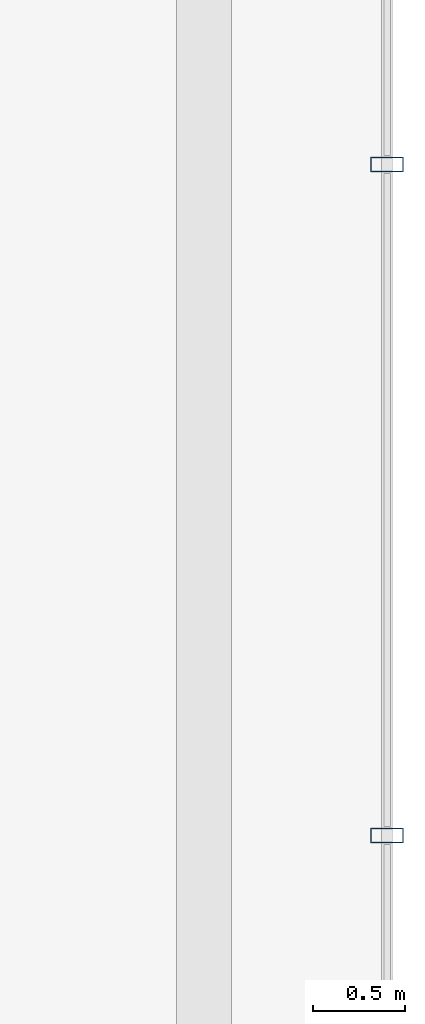
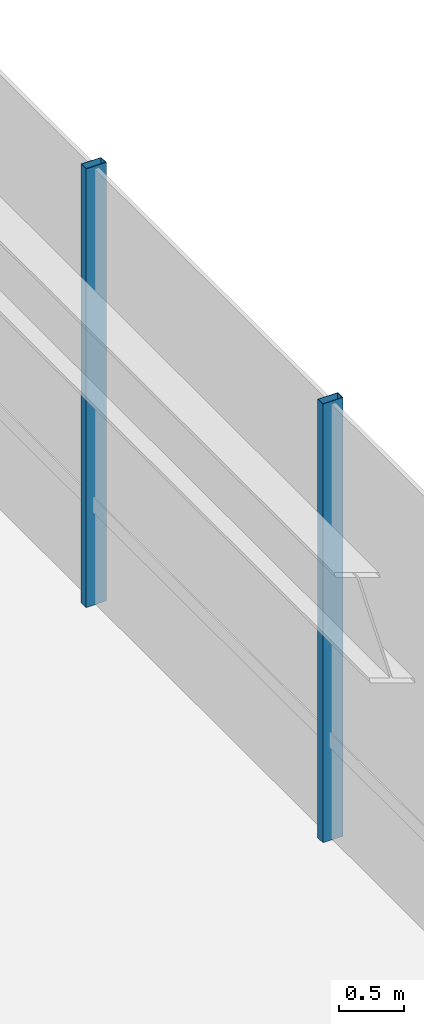
# One storey, part 28 of 37: 2 members, 1 element without a shape of its own.
"""IFC4 building model written with IfcOpenShell, lengths in metres."""

import ifcopenshell
import ifcopenshell.guid

model = None  # the IFC model being written
_history = None  # IfcOwnerHistory: only IFC2X3 demands one
_inside = {}  # id of a spatial element -> (the spatial element, [elements in it])
_under = {}  # id of a project, library or spatial element -> (it, [spatial elements below it])
_declared = {}  # id of a project -> (the project, [libraries it declares])
_typed = {}  # id of a type object -> (the type object, [elements of that type])
_made_of = {}  # id of a material, layer set ... -> (it, [elements and type objects made of it])


def new_model(schema):
    """Start an empty IFC model of exactly this schema.

    Asked for "IFC4X3", IfcOpenShell would pick the latest addendum, in which some entities
    have other attributes; the version numbers below select the first issue.
    IFC2X3 requires an IfcOwnerHistory on every rooted entity: one is made here for all.
    """
    global model, _history
    if schema == "IFC4X3":
        model = ifcopenshell.file(schema_version=(4, 3, 0, 0))
    else:
        model = ifcopenshell.file(schema=schema)
    _inside.clear()
    _under.clear()
    _declared.clear()
    _typed.clear()
    _made_of.clear()
    _history = None
    if model.schema == "IFC2X3":
        org = make("IfcOrganization", Name="unknown")
        user = make(
            "IfcPersonAndOrganization",
            ThePerson=make("IfcPerson", FamilyName="unknown"),
            TheOrganization=org,
        )
        app = make(
            "IfcApplication",
            ApplicationDeveloper=org,
            Version="unknown",
            ApplicationFullName="unknown",
            ApplicationIdentifier="unknown",
        )
        _history = make(
            "IfcOwnerHistory",
            OwningUser=user,
            OwningApplication=app,
            ChangeAction="ADDED",
            CreationDate=0,
        )
    return model


def make(cls, **values):
    """One entity of the class cls with the attributes given. An attribute that is None is left unset."""
    return model.create_entity(
        cls, **{name: value for name, value in values.items() if value is not None}
    )


def rooted(cls, **values):
    """An entity with a GlobalId (a new one), such as an element, a storey or a relation."""
    return make(cls, GlobalId=ifcopenshell.guid.new(), OwnerHistory=_history, **values)


def si_unit(unit_type, name, prefix=None):
    """IfcSIUnit, for example si_unit("LENGTHUNIT", "METRE", prefix="MILLI")."""
    return make("IfcSIUnit", UnitType=unit_type, Prefix=prefix, Name=name)


def assignment(units):
    """IfcUnitAssignment: the units of a project."""
    return None if units is None else make("IfcUnitAssignment", Units=units)


def point(xyz):
    """IfcCartesianPoint."""
    return None if xyz is None else make("IfcCartesianPoint", Coordinates=xyz)


def direction(xyz):
    """IfcDirection."""
    return None if xyz is None else make("IfcDirection", DirectionRatios=xyz)


def frame(location, z_axis=None, x_axis=None):
    """IfcAxis2Placement3D, a coordinate frame: its origin and axes. An axis left out is left unset."""
    return make(
        "IfcAxis2Placement3D",
        Location=point(location),
        Axis=direction(z_axis),
        RefDirection=direction(x_axis),
    )


def frame_2d(location, x_axis=None):
    """IfcAxis2Placement2D, a coordinate frame in the plane: its origin and x axis."""
    return make(
        "IfcAxis2Placement2D", Location=point(location), RefDirection=direction(x_axis)
    )


def origin():
    """The frame at (0, 0, 0) with its axes left unset."""
    return frame((0.0, 0.0, 0.0))


def origin_2d():
    """The frame at (0, 0) in the plane with its x axis left unset."""
    return frame_2d((0.0, 0.0))


def place(relative_to, where):
    """IfcLocalPlacement: puts the frame where relative to a parent placement (None: the world)."""
    return make(
        "IfcLocalPlacement", PlacementRelTo=relative_to, RelativePlacement=where
    )


def context(
    kind, dimensions, precision=None, world=None, true_north=None, identifier=None
):
    """IfcGeometricRepresentationContext, for example the 3D "Model" context."""
    return make(
        "IfcGeometricRepresentationContext",
        ContextIdentifier=identifier,
        ContextType=kind,
        CoordinateSpaceDimension=dimensions,
        Precision=precision,
        WorldCoordinateSystem=world,
        TrueNorth=true_north,
    )


def subcontext(parent, identifier, kind, view, scale=None):
    """IfcGeometricRepresentationSubContext, for example "Body" below "Model"."""
    return make(
        "IfcGeometricRepresentationSubContext",
        ContextIdentifier=identifier,
        ContextType=kind,
        ParentContext=parent,
        TargetScale=scale,
        TargetView=view,
    )


def project(units=None, contexts=None):
    """IfcProject with its units and contexts."""
    return rooted(
        "IfcProject",
        Name="project",
        RepresentationContexts=contexts,
        UnitsInContext=assignment(units),
    )


def spatial(cls, under=None, at=None, **own):
    """A site, building, storey or space (cls), placed at a placement, below another one or the project."""
    s = rooted(cls, ObjectPlacement=at, **own)
    if under is not None:
        _under.setdefault(under.id(), (under, []))[1].append(s)
    return s


def profile(cls, at=None, kind="AREA", **sizes):
    """A parametric profile (cls). Its sizes go by their IFC names, for example OverallWidth=200.0."""
    return make(cls, ProfileType=kind, Position=at, **sizes)


def hollow_rectangle(**sizes):
    """IfcRectangleHollowProfileDef."""
    return profile("IfcRectangleHollowProfileDef", **sizes)


def extrude(swept, where, along, depth):
    """IfcExtrudedAreaSolid: the profile swept, set in the frame where, extruded along a direction by depth."""
    return make(
        "IfcExtrudedAreaSolid",
        SweptArea=swept,
        Position=where,
        ExtrudedDirection=direction(along),
        Depth=depth,
    )


def shape(context_of_items, identifier, shape_type, items):
    """IfcShapeRepresentation: the items that make up one representation, for example the "Body"."""
    return make(
        "IfcShapeRepresentation",
        ContextOfItems=context_of_items,
        RepresentationIdentifier=identifier,
        RepresentationType=shape_type,
        Items=items,
    )


def material(Name=None, Category=None):
    """IfcMaterial."""
    return make("IfcMaterial", Name=Name, Category=Category)


def layer(
    of_material, thickness, ventilated=None, Name=None, Category=None, Priority=None
):
    """IfcMaterialLayer: one layer of a wall or slab, of a material (None: an air gap)."""
    return make(
        "IfcMaterialLayer",
        Material=of_material,
        LayerThickness=thickness,
        IsVentilated=ventilated,
        Name=Name,
        Category=Category,
        Priority=Priority,
    )


def layer_set(layers, Name=None):
    """IfcMaterialLayerSet."""
    return make("IfcMaterialLayerSet", MaterialLayers=layers, LayerSetName=Name)


def material_profile(
    of_material, cross_section, Name=None, Category=None, Priority=None
):
    """IfcMaterialProfile: a cross section and its material."""
    return make(
        "IfcMaterialProfile",
        Name=Name,
        Material=of_material,
        Profile=cross_section,
        Priority=Priority,
        Category=Category,
    )


def profile_set(profiles, Name=None, composite=None):
    """IfcMaterialProfileSet."""
    return make(
        "IfcMaterialProfileSet",
        Name=Name,
        MaterialProfiles=profiles,
        CompositeProfile=composite,
    )


def made_of(thing, what):
    """Note that an element or type object is made of a material, layer set ...; save() writes the relation."""
    if what is not None:
        _made_of.setdefault(what.id(), (what, []))[1].append(thing)
    return thing


def type_object(cls, material=None, **own):
    """A type object (cls), such as IfcWallType, which elements share."""
    return made_of(rooted(cls, **own), material)


def element(
    cls,
    number,
    at=None,
    inside=None,
    cuts=None,
    type_object=None,
    material=None,
    context=None,
    identifier="Body",
    shape_type=None,
    held_by="IfcProductDefinitionShape",
    body=None,
    shapes=None,
    **own,
):
    """One element of the class cls, such as IfcWall. Its Tag is "e" and its number.

    at: its placement. inside: the storey or other place that contains it. cuts: it is an
    opening in that element (IfcRelVoidsElement). A single representation is given by context,
    identifier, shape_type and body (its items); several are given by shapes. held_by: the class
    of the entity that holds the representations. save() writes the other relations.
    """
    e = rooted(cls, Tag="e%d" % number, ObjectPlacement=at, **own)
    if body is not None:
        shapes = [shape(context, identifier, shape_type, body)]
    if shapes is not None:
        e.Representation = make(held_by, Representations=shapes)
    if inside is not None:
        _inside.setdefault(inside.id(), (inside, []))[1].append(e)
    if cuts is not None:
        rooted(
            "IfcRelVoidsElement", RelatingBuildingElement=cuts, RelatedOpeningElement=e
        )
    if type_object is not None:
        _typed.setdefault(type_object.id(), (type_object, []))[1].append(e)
    return made_of(e, material)


def aggregate(whole, parts):
    """IfcRelAggregates: a whole, such as a stair, and the parts it consists of."""
    return rooted("IfcRelAggregates", RelatingObject=whole, RelatedObjects=parts)


def save(model, path):
    """Write the relations noted so far, then the file.

    IfcRelAggregates (storeys below a building ...), IfcRelContainedInSpatialStructure (elements
    in a storey), IfcRelDefinesByType, IfcRelAssociatesMaterial and IfcRelDeclares: one each for
    every whole, place, type object, material and project.
    """
    for whole, parts in _under.values():
        aggregate(whole, parts)
    for where, things in _inside.values():
        rooted(
            "IfcRelContainedInSpatialStructure",
            RelatedElements=things,
            RelatingStructure=where,
        )
    for kind, things in _typed.values():
        rooted("IfcRelDefinesByType", RelatedObjects=things, RelatingType=kind)
    for what, things in _made_of.values():
        rooted("IfcRelAssociatesMaterial", RelatedObjects=things, RelatingMaterial=what)
    for by, libraries in _declared.values():
        rooted("IfcRelDeclares", RelatingContext=by, RelatedDefinitions=libraries)
    model.write(path)


model = new_model("IFC4")

# Units and contexts
model_context = context("Model", 3, precision=1e-05, world=origin(), true_north=direction((0.0, 1.0)))
body_context = subcontext(model_context, "Body", "Model", "MODEL_VIEW")
ifc_project = project(units=[si_unit("LENGTHUNIT", "METRE"), si_unit("AREAUNIT", "SQUARE_METRE"), si_unit("VOLUMEUNIT", "CUBIC_METRE"), si_unit("PLANEANGLEUNIT", "RADIAN"), si_unit("MASSUNIT", "GRAM", prefix="KILO")], contexts=[model_context])

# Site, building, storey
site_placement = place(None, origin())
site = spatial("IfcSite", under=ifc_project, at=site_placement, CompositionType="ELEMENT")
building_placement = place(site_placement, origin())
building = spatial("IfcBuilding", under=site, at=building_placement, Name="Zarrinselat Tower", CompositionType="ELEMENT")
storey_placement = place(building_placement, frame((0.0, 0.0, 13.93994140625)))
storey = spatial("IfcBuildingStorey", under=building, at=storey_placement, Name="L03", CompositionType="ELEMENT", Elevation=13.93994140625)

# Curtain wall, members
ifc_material_1 = material(Name="Extruded Aluminium Alloy EN AW-6063 T6", Category="aluminium")
ifc_layer = layer(ifc_material_1, 0.2099609375)
ifc_layer_set = layer_set([ifc_layer], Name="Extruded Aluminium Alloy EN AW-6063 T6")
curtain_wall_type = type_object("IfcCurtainWallType", Name="CWS-POD", PredefinedType="NOTDEFINED", material=ifc_layer_set)
curtain_wall_placement = place(storey_placement, origin())
curtain_wall = element("IfcCurtainWall", 1, at=curtain_wall_placement, inside=storey, type_object=curtain_wall_type, Name="L03 Unitised Curtain Wall CW-L03-F3", PredefinedType="NOTDEFINED")
ifc_material_2 = material(Name="Extruded Aluminium Alloy EN AW-6063 T6", Category="aluminium")
ifc_material_profile = material_profile(ifc_material_2, hollow_rectangle(XDim=0.080078125, YDim=0.179931640625, WallThickness=0.0048828125, at=origin_2d()), Name="RHS 180x80x5")
ifc_profile_set = profile_set([ifc_material_profile], Name="Extruded Aluminium Alloy EN AW-6063 T6")
member_type = type_object("IfcMemberType", Name="MEM-CW-MUL", PredefinedType="MULLION", material=ifc_profile_set)
member_1_placement = place(storey_placement, frame((74.39990234375, 25.0400390625, 0.0), z_axis=(0.0, 0.0, 1.0), x_axis=(0.0, 1.0, 0.0)))
member_1 = element("IfcMember", 2, at=member_1_placement, type_object=member_type, Name="CW-L03-F3 Mullion 4", PredefinedType="MULLION", context=body_context, shape_type="SweptSolid", body=[
    extrude(hollow_rectangle(XDim=0.080078125, YDim=0.179931640625, WallThickness=0.0048828125, at=origin_2d()), origin(), (0.0, 0.0, 1.0), 4.14013671875),
])
member_2_placement = place(storey_placement, frame((74.39990234375, 28.699951171875, 0.0), z_axis=(0.0, 0.0, 1.0), x_axis=(0.0, 1.0, 0.0)))
member_2 = element("IfcMember", 3, at=member_2_placement, type_object=member_type, Name="CW-L03-F3 Mullion 5", PredefinedType="MULLION", context=body_context, shape_type="SweptSolid", body=[
    extrude(hollow_rectangle(XDim=0.080078125, YDim=0.179931640625, WallThickness=0.0048828125, at=origin_2d()), origin(), (0.0, 0.0, 1.0), 4.14013671875),
])
aggregate(curtain_wall, [member_1, member_2])

save(model, "model.ifc")
